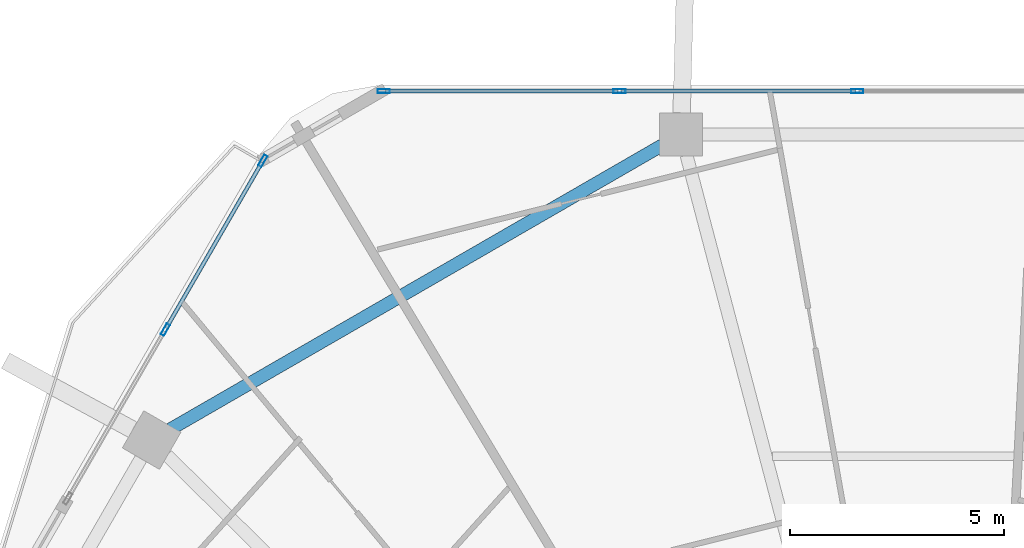
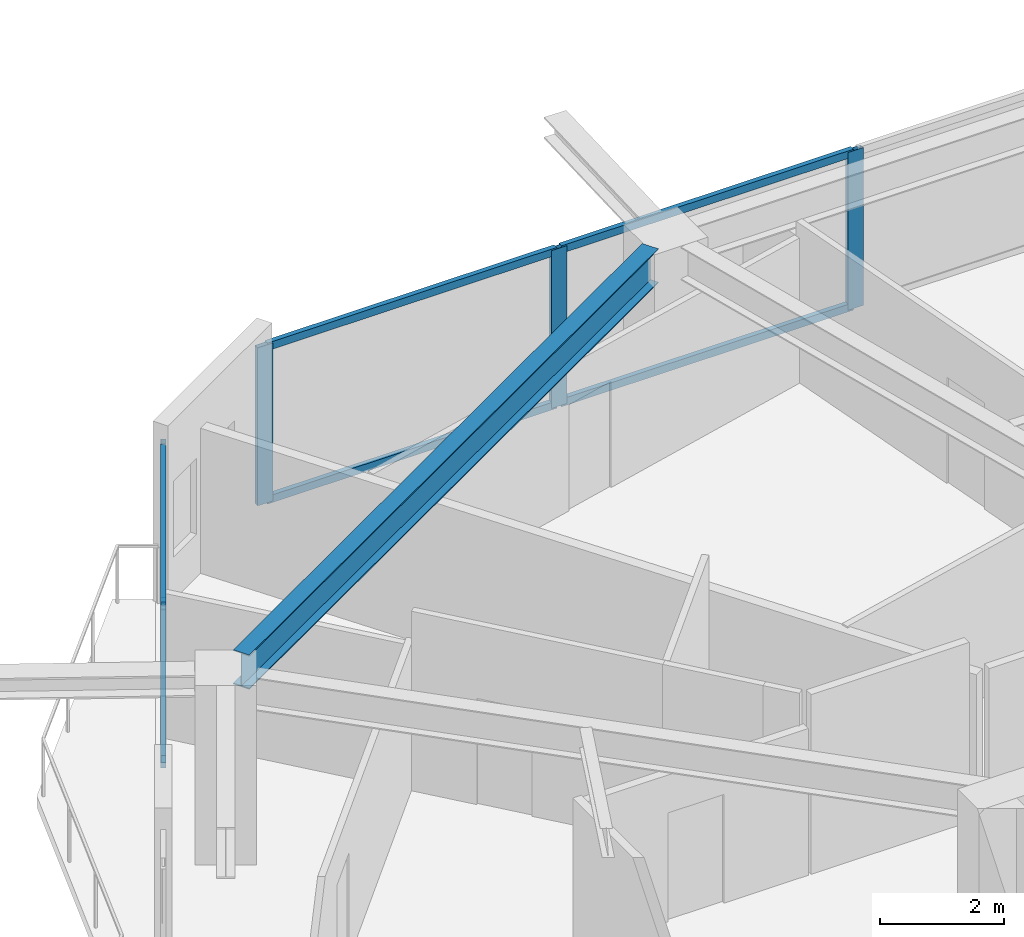
# One storey, part 12 of 26: 11 members, 1 beam, 2 elements without a shape of their own.
"""IFC4 building model written with IfcOpenShell, lengths in metres."""

from ifc_helpers import new_model, si_unit, direction, frame, origin, origin_2d, place, context, subcontext, project, spatial, hollow_rectangle, i_section, extrude, material, material_profile, profile_set, type_object, element, aggregate, save


model = new_model("IFC4")

# Units and contexts
model_context = context("Model", 3, precision=1e-05, world=origin(), true_north=direction((0.0, 1.0)))
body_context = subcontext(model_context, "Body", "Model", "MODEL_VIEW")
ifc_project = project(units=[si_unit("LENGTHUNIT", "METRE"), si_unit("AREAUNIT", "SQUARE_METRE"), si_unit("VOLUMEUNIT", "CUBIC_METRE"), si_unit("PLANEANGLEUNIT", "RADIAN"), si_unit("MASSUNIT", "GRAM", prefix="KILO")], contexts=[model_context])

# Site, building, storey
site_placement = place(None, origin())
site = spatial("IfcSite", under=ifc_project, at=site_placement, CompositionType="ELEMENT")
building_placement = place(site_placement, origin())
building = spatial("IfcBuilding", under=site, at=building_placement, Name="Zuhravey Tower", CompositionType="ELEMENT")
storey_placement = place(building_placement, frame((0.0, 0.0, 165.60009765625)))
storey = spatial("IfcBuildingStorey", under=building, at=storey_placement, Name="L41", CompositionType="ELEMENT", Elevation=165.60009765625)

# Curtain wall, members
ifc_material_1 = material(Name="Thermally broken anodised aluminium", Category="aluminium")
curtain_wall_type = type_object("IfcCurtainWallType", Name="Zone 1-2 Residential Curtain Wall CW3", PredefinedType="NOTDEFINED", material=ifc_material_1)
curtain_wall_1_placement = place(storey_placement, origin())
curtain_wall_1 = element("IfcCurtainWall", 1, at=curtain_wall_1_placement, inside=storey, type_object=curtain_wall_type, Name="L41 CW3 CW-L41-F3-2", PredefinedType="NOTDEFINED")
ifc_material_2 = material(Name="Anodised aluminium", Category="aluminium")
ifc_material_profile_1 = material_profile(ifc_material_2, hollow_rectangle(XDim=0.090087890625, YDim=0.284912109375, WallThickness=0.0048828125, at=origin_2d()), Name="ALU-RHS-90x285x5")
ifc_profile_set_1 = profile_set([ifc_material_profile_1], Name="Anodised aluminium")
member_type_1 = type_object("IfcMemberType", Name="Curtain-Wall Mullion 90x180", PredefinedType="MULLION", material=ifc_profile_set_1)
member_1_placement = place(storey_placement, frame((17.09326171875, 53.61865234375, 0.0), z_axis=(0.0, 0.0, 1.0), x_axis=(-0.866026750835, 0.499997666832, 0.0)))
member_1 = element("IfcMember", 2, at=member_1_placement, type_object=member_type_1, Name="CW3 mullion 2", PredefinedType="MULLION", context=body_context, shape_type="SweptSolid", body=[
    extrude(hollow_rectangle(XDim=0.090087890625, YDim=0.284912109375, WallThickness=0.0048828125, at=origin_2d()), origin(), (0.0, 0.0, 1.0), 3.121826171875),
])
member_2_placement = place(storey_placement, frame((19.36669921875, 57.556640625, 0.0), z_axis=(0.0, 0.0, 1.0), x_axis=(-0.866026750835, 0.499997666832, 0.0)))
member_2 = element("IfcMember", 3, at=member_2_placement, type_object=member_type_1, Name="CW3 mullion 3", PredefinedType="MULLION", context=body_context, shape_type="SweptSolid", body=[
    extrude(hollow_rectangle(XDim=0.090087890625, YDim=0.284912109375, WallThickness=0.0048828125, at=origin_2d()), origin(), (0.0, 0.0, 1.0), 3.121826171875),
])

curtain_wall_2_placement = place(storey_placement, origin())
curtain_wall_2 = element("IfcCurtainWall", 4, at=curtain_wall_2_placement, inside=storey, type_object=curtain_wall_type, Name="L41 CW3 CW-L41-F2-1", PredefinedType="NOTDEFINED")
member_3_placement = place(storey_placement, frame((22.183837890625, 59.18310546875, 0.0), z_axis=(0.0, 0.0, 1.0), x_axis=(0.0, 1.0, 0.0)))
member_3 = element("IfcMember", 5, at=member_3_placement, type_object=member_type_1, Name="CW3 mullion 1", PredefinedType="MULLION", context=body_context, shape_type="SweptSolid", body=[
    extrude(hollow_rectangle(XDim=0.090087890625, YDim=0.284912109375, WallThickness=0.0048828125, at=origin_2d()), origin(), (0.0, 0.0, 1.0), 3.121826171875),
])
member_4_placement = place(storey_placement, frame((27.683349609375, 59.18310546875, 0.0), z_axis=(0.0, 0.0, 1.0), x_axis=(0.0, 1.0, 0.0)))
member_4 = element("IfcMember", 6, at=member_4_placement, type_object=member_type_1, Name="CW3 mullion 2", PredefinedType="MULLION", context=body_context, shape_type="SweptSolid", body=[
    extrude(hollow_rectangle(XDim=0.090087890625, YDim=0.284912109375, WallThickness=0.0048828125, at=origin_2d()), origin(), (0.0, 0.0, 1.0), 3.121826171875),
])
member_5_placement = place(storey_placement, frame((33.227783203125, 59.18310546875, 0.0), z_axis=(0.0, 0.0, 1.0), x_axis=(0.0, 1.0, 0.0)))
member_5 = element("IfcMember", 7, at=member_5_placement, type_object=member_type_1, Name="CW3 mullion 3", PredefinedType="MULLION", context=body_context, shape_type="SweptSolid", body=[
    extrude(hollow_rectangle(XDim=0.090087890625, YDim=0.284912109375, WallThickness=0.0048828125, at=origin_2d()), origin(), (0.0, 0.0, 1.0), 3.121826171875),
])

# Member
ifc_material_profile_2 = material_profile(ifc_material_2, hollow_rectangle(XDim=0.090087890625, YDim=0.14990234375, WallThickness=0.0048828125, at=origin_2d()), Name="ALU-RHS-90x150x5")
ifc_profile_set_2 = profile_set([ifc_material_profile_2], Name="Anodised aluminium")
member_type_2 = type_object("IfcMemberType", Name="Curtain-Wall Transom 90x150", PredefinedType="USERDEFINED", material=ifc_profile_set_2)
member_6_placement = place(storey_placement, frame((17.11572265625, 53.65771484375, 0.044921875), z_axis=(0.500003789632, 0.866023215828, 0.0), x_axis=(-0.866023215828, 0.500003789632, 0.0)))
member_6 = element("IfcMember", 8, at=member_6_placement, type_object=member_type_2, Name="CW3 transom 2.1", ObjectType="TRANSOM", PredefinedType="USERDEFINED", context=body_context, shape_type="SweptSolid", body=[
    extrude(hollow_rectangle(XDim=0.090087890625, YDim=0.14990234375, WallThickness=0.0048828125, at=origin_2d()), origin(), (0.0, 0.0, 1.0), 4.45703125),
])

member_7_placement = place(storey_placement, frame((17.11572265625, 53.65771484375, 3.076904296875), z_axis=(0.500003789632, 0.866023215828, 0.0), x_axis=(-0.866023215828, 0.500003789632, 0.0)))
member_7 = element("IfcMember", 9, at=member_7_placement, type_object=member_type_2, Name="CW3 transom 2.2", ObjectType="TRANSOM", PredefinedType="USERDEFINED", context=body_context, shape_type="SweptSolid", body=[
    extrude(hollow_rectangle(XDim=0.090087890625, YDim=0.14990234375, WallThickness=0.0048828125, at=origin_2d()), origin(), (0.0, 0.0, 1.0), 4.45703125),
])

aggregate(curtain_wall_1, [member_1, member_2, member_6, member_7])

member_8_placement = place(storey_placement, frame((22.22900390625, 59.18310546875, 0.044921875), z_axis=(1.0, 0.0, 0.0), x_axis=(0.0, 1.0, 0.0)))
member_8 = element("IfcMember", 10, at=member_8_placement, type_object=member_type_2, Name="CW3 transom 1.1", ObjectType="TRANSOM", PredefinedType="USERDEFINED", context=body_context, shape_type="SweptSolid", body=[
    extrude(hollow_rectangle(XDim=0.090087890625, YDim=0.14990234375, WallThickness=0.0048828125, at=origin_2d()), origin(), (0.0, 0.0, 1.0), 5.409423828125),
])

member_9_placement = place(storey_placement, frame((22.22900390625, 59.18310546875, 3.076904296875), z_axis=(1.0, 0.0, 0.0), x_axis=(0.0, 1.0, 0.0)))
member_9 = element("IfcMember", 11, at=member_9_placement, type_object=member_type_2, Name="CW3 transom 1.2", ObjectType="TRANSOM", PredefinedType="USERDEFINED", context=body_context, shape_type="SweptSolid", body=[
    extrude(hollow_rectangle(XDim=0.090087890625, YDim=0.14990234375, WallThickness=0.0048828125, at=origin_2d()), origin(), (0.0, 0.0, 1.0), 5.409423828125),
])

member_10_placement = place(storey_placement, frame((27.728271484375, 59.18310546875, 0.044921875), z_axis=(1.0, 0.0, 0.0), x_axis=(0.0, 1.0, 0.0)))
member_10 = element("IfcMember", 12, at=member_10_placement, type_object=member_type_2, Name="CW3 transom 2.1", ObjectType="TRANSOM", PredefinedType="USERDEFINED", context=body_context, shape_type="SweptSolid", body=[
    extrude(hollow_rectangle(XDim=0.090087890625, YDim=0.14990234375, WallThickness=0.0048828125, at=origin_2d()), origin(), (0.0, 0.0, 1.0), 5.45458984375),
])

member_11_placement = place(storey_placement, frame((27.728271484375, 59.18310546875, 3.076904296875), z_axis=(1.0, 0.0, 0.0), x_axis=(0.0, 1.0, 0.0)))
member_11 = element("IfcMember", 13, at=member_11_placement, type_object=member_type_2, Name="CW3 transom 2.2", ObjectType="TRANSOM", PredefinedType="USERDEFINED", context=body_context, shape_type="SweptSolid", body=[
    extrude(hollow_rectangle(XDim=0.090087890625, YDim=0.14990234375, WallThickness=0.0048828125, at=origin_2d()), origin(), (0.0, 0.0, 1.0), 5.45458984375),
])

aggregate(curtain_wall_2, [member_3, member_4, member_5, member_8, member_9, member_10, member_11])

# Beam
ifc_material_3 = material(Name="Steel SM355", Category="steel")
ifc_material_profile_3 = material_profile(ifc_material_3, i_section(OverallWidth=0.300048828125, OverallDepth=0.679931640625, WebThickness=0.012939453125, FlangeThickness=0.02197265625, at=origin_2d()), Name="H-680x300x13x22")
ifc_profile_set_3 = profile_set([ifc_material_profile_3], Name="Steel SM355")
beam_type = type_object("IfcBeamType", Name="Perimeter Ring Beam H680x300", PredefinedType="BEAM", material=ifc_profile_set_3)
beam_placement = place(storey_placement, frame((28.682373046875, 57.921630859375, 3.2099609375), z_axis=(-0.866022923061, -0.500004296715, 0.0), x_axis=(0.500004296715, -0.866022923061, 0.0)))
element("IfcBeam", 14, at=beam_placement, inside=storey, type_object=beam_type, Name="L41 PB2 BM-L41-PB-04", PredefinedType="BEAM", context=body_context, shape_type="SweptSolid", body=[
    extrude(i_section(OverallWidth=0.300048828125, OverallDepth=0.679931640625, WebThickness=0.012939453125, FlangeThickness=0.02197265625, at=origin_2d()), origin(), (0.0, 0.0, 1.0), 13.2470703125),
])

save(model, "model.ifc")
